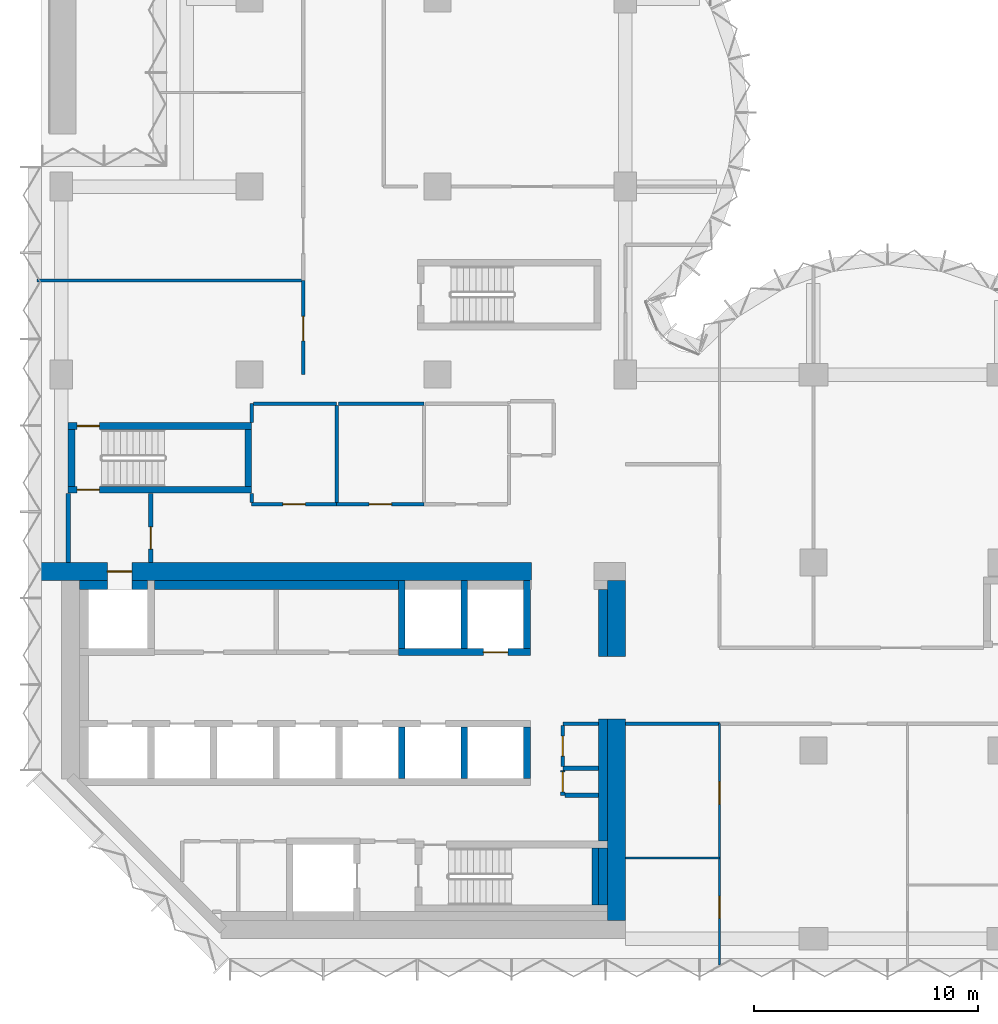
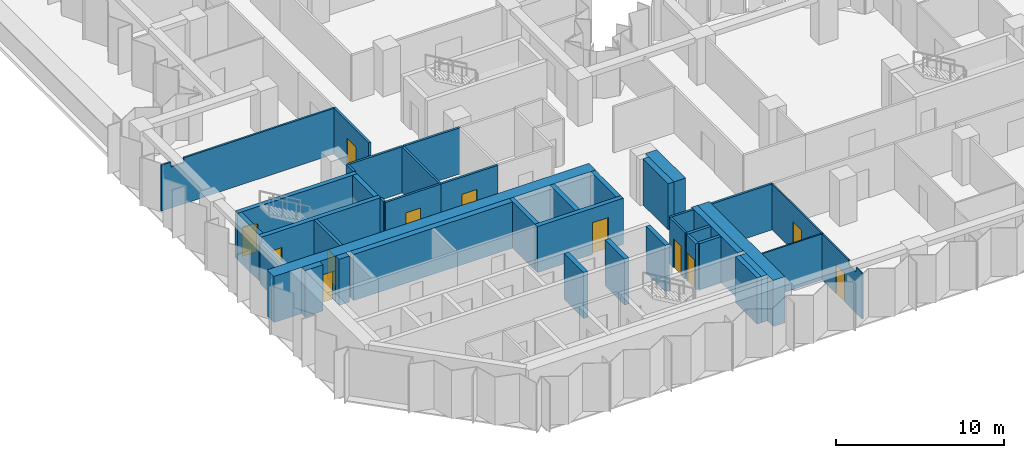
# One storey, part 11 of 18: 41 walls, 12 doors, 12 openings.
"""IFC4 building model written with IfcOpenShell, lengths in metres."""

import ifcopenshell
import ifcopenshell.guid

model = None  # the IFC model being written
_history = None  # IfcOwnerHistory: only IFC2X3 demands one
_inside = {}  # id of a spatial element -> (the spatial element, [elements in it])
_under = {}  # id of a project, library or spatial element -> (it, [spatial elements below it])
_declared = {}  # id of a project -> (the project, [libraries it declares])
_typed = {}  # id of a type object -> (the type object, [elements of that type])
_made_of = {}  # id of a material, layer set ... -> (it, [elements and type objects made of it])


def new_model(schema):
    """Start an empty IFC model of exactly this schema.

    Asked for "IFC4X3", IfcOpenShell would pick the latest addendum, in which some entities
    have other attributes; the version numbers below select the first issue.
    IFC2X3 requires an IfcOwnerHistory on every rooted entity: one is made here for all.
    """
    global model, _history
    if schema == "IFC4X3":
        model = ifcopenshell.file(schema_version=(4, 3, 0, 0))
    else:
        model = ifcopenshell.file(schema=schema)
    _inside.clear()
    _under.clear()
    _declared.clear()
    _typed.clear()
    _made_of.clear()
    _history = None
    if model.schema == "IFC2X3":
        org = make("IfcOrganization", Name="unknown")
        user = make(
            "IfcPersonAndOrganization",
            ThePerson=make("IfcPerson", FamilyName="unknown"),
            TheOrganization=org,
        )
        app = make(
            "IfcApplication",
            ApplicationDeveloper=org,
            Version="unknown",
            ApplicationFullName="unknown",
            ApplicationIdentifier="unknown",
        )
        _history = make(
            "IfcOwnerHistory",
            OwningUser=user,
            OwningApplication=app,
            ChangeAction="ADDED",
            CreationDate=0,
        )
    return model


def make(cls, **values):
    """One entity of the class cls with the attributes given. An attribute that is None is left unset."""
    return model.create_entity(
        cls, **{name: value for name, value in values.items() if value is not None}
    )


def rooted(cls, **values):
    """An entity with a GlobalId (a new one), such as an element, a storey or a relation."""
    return make(cls, GlobalId=ifcopenshell.guid.new(), OwnerHistory=_history, **values)


def si_unit(unit_type, name, prefix=None):
    """IfcSIUnit, for example si_unit("LENGTHUNIT", "METRE", prefix="MILLI")."""
    return make("IfcSIUnit", UnitType=unit_type, Prefix=prefix, Name=name)


def assignment(units):
    """IfcUnitAssignment: the units of a project."""
    return None if units is None else make("IfcUnitAssignment", Units=units)


def point(xyz):
    """IfcCartesianPoint."""
    return None if xyz is None else make("IfcCartesianPoint", Coordinates=xyz)


def direction(xyz):
    """IfcDirection."""
    return None if xyz is None else make("IfcDirection", DirectionRatios=xyz)


def frame(location, z_axis=None, x_axis=None):
    """IfcAxis2Placement3D, a coordinate frame: its origin and axes. An axis left out is left unset."""
    return make(
        "IfcAxis2Placement3D",
        Location=point(location),
        Axis=direction(z_axis),
        RefDirection=direction(x_axis),
    )


def frame_2d(location, x_axis=None):
    """IfcAxis2Placement2D, a coordinate frame in the plane: its origin and x axis."""
    return make(
        "IfcAxis2Placement2D", Location=point(location), RefDirection=direction(x_axis)
    )


def origin():
    """The frame at (0, 0, 0) with its axes left unset."""
    return frame((0.0, 0.0, 0.0))


def place(relative_to, where):
    """IfcLocalPlacement: puts the frame where relative to a parent placement (None: the world)."""
    return make(
        "IfcLocalPlacement", PlacementRelTo=relative_to, RelativePlacement=where
    )


def context(
    kind, dimensions, precision=None, world=None, true_north=None, identifier=None
):
    """IfcGeometricRepresentationContext, for example the 3D "Model" context."""
    return make(
        "IfcGeometricRepresentationContext",
        ContextIdentifier=identifier,
        ContextType=kind,
        CoordinateSpaceDimension=dimensions,
        Precision=precision,
        WorldCoordinateSystem=world,
        TrueNorth=true_north,
    )


def subcontext(parent, identifier, kind, view, scale=None):
    """IfcGeometricRepresentationSubContext, for example "Body" below "Model"."""
    return make(
        "IfcGeometricRepresentationSubContext",
        ContextIdentifier=identifier,
        ContextType=kind,
        ParentContext=parent,
        TargetScale=scale,
        TargetView=view,
    )


def project(units=None, contexts=None):
    """IfcProject with its units and contexts."""
    return rooted(
        "IfcProject",
        Name="project",
        RepresentationContexts=contexts,
        UnitsInContext=assignment(units),
    )


def spatial(cls, under=None, at=None, **own):
    """A site, building, storey or space (cls), placed at a placement, below another one or the project."""
    s = rooted(cls, ObjectPlacement=at, **own)
    if under is not None:
        _under.setdefault(under.id(), (under, []))[1].append(s)
    return s


def polyline(points):
    """IfcPolyline through the points."""
    return make("IfcPolyline", Points=[point(p) for p in points])


def profile(cls, at=None, kind="AREA", **sizes):
    """A parametric profile (cls). Its sizes go by their IFC names, for example OverallWidth=200.0."""
    return make(cls, ProfileType=kind, Position=at, **sizes)


def rectangle(**sizes):
    """IfcRectangleProfileDef."""
    return profile("IfcRectangleProfileDef", **sizes)


def outline(outer, holes=None, kind="AREA"):
    """IfcArbitraryClosedProfileDef: a profile drawn as a closed curve; with holes, ...WithVoids."""
    if holes is None:
        return make("IfcArbitraryClosedProfileDef", ProfileType=kind, OuterCurve=outer)
    return make(
        "IfcArbitraryProfileDefWithVoids",
        ProfileType=kind,
        OuterCurve=outer,
        InnerCurves=holes,
    )


def extrude(swept, where, along, depth):
    """IfcExtrudedAreaSolid: the profile swept, set in the frame where, extruded along a direction by depth."""
    return make(
        "IfcExtrudedAreaSolid",
        SweptArea=swept,
        Position=where,
        ExtrudedDirection=direction(along),
        Depth=depth,
    )


def shape(context_of_items, identifier, shape_type, items):
    """IfcShapeRepresentation: the items that make up one representation, for example the "Body"."""
    return make(
        "IfcShapeRepresentation",
        ContextOfItems=context_of_items,
        RepresentationIdentifier=identifier,
        RepresentationType=shape_type,
        Items=items,
    )


def material(Name=None, Category=None):
    """IfcMaterial."""
    return make("IfcMaterial", Name=Name, Category=Category)


def layer(
    of_material, thickness, ventilated=None, Name=None, Category=None, Priority=None
):
    """IfcMaterialLayer: one layer of a wall or slab, of a material (None: an air gap)."""
    return make(
        "IfcMaterialLayer",
        Material=of_material,
        LayerThickness=thickness,
        IsVentilated=ventilated,
        Name=Name,
        Category=Category,
        Priority=Priority,
    )


def layer_set(layers, Name=None):
    """IfcMaterialLayerSet."""
    return make("IfcMaterialLayerSet", MaterialLayers=layers, LayerSetName=Name)


def made_of(thing, what):
    """Note that an element or type object is made of a material, layer set ...; save() writes the relation."""
    if what is not None:
        _made_of.setdefault(what.id(), (what, []))[1].append(thing)
    return thing


def type_object(cls, material=None, **own):
    """A type object (cls), such as IfcWallType, which elements share."""
    return made_of(rooted(cls, **own), material)


def element(
    cls,
    number,
    at=None,
    inside=None,
    cuts=None,
    type_object=None,
    material=None,
    context=None,
    identifier="Body",
    shape_type=None,
    held_by="IfcProductDefinitionShape",
    body=None,
    shapes=None,
    **own,
):
    """One element of the class cls, such as IfcWall. Its Tag is "e" and its number.

    at: its placement. inside: the storey or other place that contains it. cuts: it is an
    opening in that element (IfcRelVoidsElement). A single representation is given by context,
    identifier, shape_type and body (its items); several are given by shapes. held_by: the class
    of the entity that holds the representations. save() writes the other relations.
    """
    e = rooted(cls, Tag="e%d" % number, ObjectPlacement=at, **own)
    if body is not None:
        shapes = [shape(context, identifier, shape_type, body)]
    if shapes is not None:
        e.Representation = make(held_by, Representations=shapes)
    if inside is not None:
        _inside.setdefault(inside.id(), (inside, []))[1].append(e)
    if cuts is not None:
        rooted(
            "IfcRelVoidsElement", RelatingBuildingElement=cuts, RelatedOpeningElement=e
        )
    if type_object is not None:
        _typed.setdefault(type_object.id(), (type_object, []))[1].append(e)
    return made_of(e, material)


def fill(opening, filler):
    """IfcRelFillsElement: the door or window that sits in an opening."""
    return rooted(
        "IfcRelFillsElement",
        RelatingOpeningElement=opening,
        RelatedBuildingElement=filler,
    )


def aggregate(whole, parts):
    """IfcRelAggregates: a whole, such as a stair, and the parts it consists of."""
    return rooted("IfcRelAggregates", RelatingObject=whole, RelatedObjects=parts)


def save(model, path):
    """Write the relations noted so far, then the file.

    IfcRelAggregates (storeys below a building ...), IfcRelContainedInSpatialStructure (elements
    in a storey), IfcRelDefinesByType, IfcRelAssociatesMaterial and IfcRelDeclares: one each for
    every whole, place, type object, material and project.
    """
    for whole, parts in _under.values():
        aggregate(whole, parts)
    for where, things in _inside.values():
        rooted(
            "IfcRelContainedInSpatialStructure",
            RelatedElements=things,
            RelatingStructure=where,
        )
    for kind, things in _typed.values():
        rooted("IfcRelDefinesByType", RelatedObjects=things, RelatingType=kind)
    for what, things in _made_of.values():
        rooted("IfcRelAssociatesMaterial", RelatedObjects=things, RelatingMaterial=what)
    for by, libraries in _declared.values():
        rooted("IfcRelDeclares", RelatingContext=by, RelatedDefinitions=libraries)
    model.write(path)


model = new_model("IFC4")

# Units and contexts
model_context = context("Model", 3, precision=1e-05, world=origin(), true_north=direction((0.0, 1.0)))
body_context = subcontext(model_context, "Body", "Model", "MODEL_VIEW")
ifc_project = project(units=[si_unit("LENGTHUNIT", "METRE"), si_unit("AREAUNIT", "SQUARE_METRE"), si_unit("VOLUMEUNIT", "CUBIC_METRE"), si_unit("PLANEANGLEUNIT", "RADIAN"), si_unit("MASSUNIT", "GRAM", prefix="KILO")], contexts=[model_context])

# Site, building, storey
site_placement = place(None, origin())
site = spatial("IfcSite", under=ifc_project, at=site_placement, CompositionType="ELEMENT")
building_placement = place(site_placement, origin())
building = spatial("IfcBuilding", under=site, at=building_placement, Name="Brevane Broadcast Tower", CompositionType="ELEMENT")
storey_placement = place(building_placement, frame((0.0, 0.0, 134.89990234375)))
storey = spatial("IfcBuildingStorey", under=building, at=storey_placement, Name="L33", CompositionType="ELEMENT", Elevation=134.89990234375)

# Walls
ifc_material_1 = material(Name="Concrete C32/40", Category="concrete")
ifc_layer_1 = layer(ifc_material_1, 0.39990234375)
ifc_layer_set_1 = layer_set([ifc_layer_1], Name="Core chase wall 400 mm")
wall_type_1 = type_object("IfcWallType", Name="Core chase wall 400 mm", PredefinedType="PARTITIONING", material=ifc_layer_set_1)
wall_1_placement = place(storey_placement, frame((24.199951171875, 12.60009765625, 0.0), z_axis=(0.0, 0.0, 1.0), x_axis=(0.0, 1.0, 0.0)))
element("IfcWall", 1, at=wall_1_placement, inside=storey, type_object=wall_type_1, Name="L33 chase wall LE2", PredefinedType="PARTITIONING", context=body_context, shape_type="SweptSolid", body=[
    extrude(rectangle(XDim=3.0, YDim=0.39990234375, at=frame_2d((1.5, 0.0))), origin(), (0.0, 0.0, 1.0), 3.35009765625),
])
wall_2_placement = place(storey_placement, frame((0.800048828125, 15.800048828125, 0.0), z_axis=(0.0, 0.0, 1.0), x_axis=(1.0, 0.0, 0.0)))
element("IfcWall", 2, at=wall_2_placement, inside=storey, type_object=wall_type_1, Name="L33 chase wall LN0", PredefinedType="PARTITIONING", context=body_context, shape_type="SweptSolid", body=[
    extrude(rectangle(XDim=1.25, YDim=0.39990234375, at=frame_2d((0.625, 0.0))), origin(), (0.0, 0.0, 1.0), 3.35009765625),
])
wall_3_placement = place(storey_placement, frame((3.14990234375, 15.800048828125, 0.0), z_axis=(0.0, 0.0, 1.0), x_axis=(1.0, 0.0, 0.0)))
element("IfcWall", 3, at=wall_3_placement, inside=storey, type_object=wall_type_1, Name="L33 chase wall LN1-1", PredefinedType="PARTITIONING", context=body_context, shape_type="SweptSolid", body=[
    extrude(rectangle(XDim=0.7001953125, YDim=0.39990234375, at=frame_2d((0.35009765625, 0.0))), origin(), (0.0, 0.0, 1.0), 3.35009765625),
])
wall_4_placement = place(storey_placement, frame((4.14990234375, 15.800048828125, 0.0), z_axis=(0.0, 0.0, 1.0), x_axis=(1.0, 0.0, 0.0)))
element("IfcWall", 4, at=wall_4_placement, inside=storey, type_object=wall_type_1, Name="L33 chase wall LN1-2-1", PredefinedType="PARTITIONING", context=body_context, shape_type="SweptSolid", body=[
    extrude(rectangle(XDim=10.900146484375, YDim=0.39990234375, at=frame_2d((5.4501953125, 0.0))), origin(), (0.0, 0.0, 1.0), 3.35009765625),
])
wall_5_placement = place(storey_placement, frame((24.199951171875, 1.5, 0.0), z_axis=(0.0, 0.0, 1.0), x_axis=(0.0, 1.0, 0.0)))
element("IfcWall", 5, at=wall_5_placement, inside=storey, type_object=wall_type_1, Name="L33 chase wall LE1-2-1", PredefinedType="PARTITIONING", context=body_context, shape_type="SweptSolid", body=[
    extrude(rectangle(XDim=2.550048828125, YDim=0.39990234375, at=frame_2d((1.27490234375, 0.0))), origin(), (0.0, 0.0, 1.0), 3.35009765625),
])
wall_6_placement = place(storey_placement, frame((24.199951171875, 4.35009765625, 0.0), z_axis=(0.0, 0.0, 1.0), x_axis=(0.0, 1.0, 0.0)))
element("IfcWall", 6, at=wall_6_placement, inside=storey, type_object=wall_type_1, Name="L33 chase wall LE1-2-2", PredefinedType="PARTITIONING", context=body_context, shape_type="SweptSolid", body=[
    extrude(rectangle(XDim=5.449951171875, YDim=0.39990234375, at=frame_2d((2.72509765625, 0.0))), origin(), (0.0, 0.0, 1.0), 3.35009765625),
])

# Wall, opening, door
ifc_material_2 = material(Name="Gypsum board on steel studs", Category="steel")
ifc_layer_2 = layer(ifc_material_2, 0.14990234375)
ifc_layer_set_2 = layer_set([ifc_layer_2], Name="Core fire partition 150 mm")
wall_type_2 = type_object("IfcWallType", Name="Core fire partition 150 mm", PredefinedType="PARTITIONING", material=ifc_layer_set_2)
wall_7_placement = place(storey_placement, frame((12.300048828125, 19.39990234375, 0.0), z_axis=(0.0, 0.0, 1.0), x_axis=(-1.0, 0.0, 0.0)))
wall_7 = element("IfcWall", 7, at=wall_7_placement, inside=storey, type_object=wall_type_2, Name="L33 partition wall P15", PredefinedType="PARTITIONING", context=body_context, shape_type="SweptSolid", body=[
    extrude(rectangle(XDim=3.800048828125, YDim=0.14990234375, at=frame_2d((1.89990234375, 0.0))), origin(), (0.0, 0.0, 1.0), 3.35009765625),
])
opening_1_placement = place(wall_7_placement, frame((1.39990234375, 0.0, 0.0)))
opening_1 = element("IfcOpeningElement", 8, at=opening_1_placement, cuts=wall_7, Name="Opening L33-K25", PredefinedType="OPENING", context=body_context, shape_type="SweptSolid", body=[
    extrude(rectangle(XDim=1.0, YDim=2.10009765625, at=frame_2d((0.5, 1.050048828125))), frame((0.0, 0.0849609375, 0.0), z_axis=(0.0, -1.0, 0.0), x_axis=(1.0, 0.0, 0.0)), (0.0, 0.0, 1.0), 0.169921875),
])
ifc_material_3 = material(Name="Steel", Category="steel")
door_type_1 = type_object("IfcDoorType", Name="Service room door 1000 x 2100", OperationType="SINGLE_SWING_LEFT", PredefinedType="DOOR", material=ifc_material_3)
door_1_placement = place(opening_1_placement, origin())
door_1 = element("IfcDoor", 9, at=door_1_placement, inside=storey, type_object=door_type_1, Name="Door L33-K25", OperationType="SINGLE_SWING_LEFT", OverallHeight=2.10009765625, OverallWidth=1.0, PredefinedType="DOOR", context=body_context, shape_type="SweptSolid", body=[
    extrude(rectangle(XDim=1.0, YDim=2.10009765625, at=frame_2d((0.5, 1.050048828125))), frame((0.0, 0.02490234375, 0.0), z_axis=(0.0, -1.0, 0.0), x_axis=(1.0, 0.0, 0.0)), (0.0, 0.0, 1.0), 0.050048828125),
])
fill(opening_1, door_1)

# Walls
wall_8_placement = place(storey_placement, frame((8.5, 19.47509765625, 0.0), z_axis=(0.0, 0.0, 1.0), x_axis=(0.0, 1.0, 0.0)))
element("IfcWall", 10, at=wall_8_placement, inside=storey, type_object=wall_type_2, Name="L33 partition wall P16", PredefinedType="PARTITIONING", context=body_context, shape_type="SweptSolid", body=[
    extrude(rectangle(XDim=0.412841796875, YDim=0.14990234375, at=frame_2d((0.20654296875, 0.0))), origin(), (0.0, 0.0, 1.0), 3.35009765625),
])
wall_9_placement = place(storey_placement, frame((8.5, 23.06201171875, 0.0), z_axis=(0.0, 0.0, 1.0), x_axis=(0.0, 1.0, 0.0)))
element("IfcWall", 11, at=wall_9_placement, inside=storey, type_object=wall_type_2, Name="L33 partition wall P17", PredefinedType="PARTITIONING", context=body_context, shape_type="SweptSolid", body=[
    extrude(rectangle(XDim=0.837890625, YDim=0.14990234375, at=frame_2d((0.4189453125, 0.0))), origin(), (0.0, 0.0, 1.0), 3.35009765625),
])
wall_10_placement = place(storey_placement, frame((8.574951171875, 23.89990234375, 0.0), z_axis=(0.0, 0.0, 1.0), x_axis=(1.0, 0.0, 0.0)))
element("IfcWall", 12, at=wall_10_placement, inside=storey, type_object=wall_type_2, Name="L33 partition wall P18", PredefinedType="PARTITIONING", context=body_context, shape_type="SweptSolid", body=[
    extrude(rectangle(XDim=3.72509765625, YDim=0.14990234375, at=frame_2d((1.862548828125, 0.0))), origin(), (0.0, 0.0, 1.0), 3.35009765625),
])

# Wall, opening, door
wall_11_placement = place(storey_placement, frame((16.199951171875, 19.39990234375, 0.0), z_axis=(0.0, 0.0, 1.0), x_axis=(-1.0, 0.0, 0.0)))
wall_11 = element("IfcWall", 13, at=wall_11_placement, inside=storey, type_object=wall_type_2, Name="L33 partition wall P19", PredefinedType="PARTITIONING", context=body_context, shape_type="SweptSolid", body=[
    extrude(rectangle(XDim=3.89990234375, YDim=0.14990234375, at=frame_2d((1.949951171875, 0.0))), origin(), (0.0, 0.0, 1.0), 3.35009765625),
])
opening_2_placement = place(wall_11_placement, frame((1.449951171875, 0.0, 0.0)))
opening_2 = element("IfcOpeningElement", 14, at=opening_2_placement, cuts=wall_11, Name="Opening L33-K26", PredefinedType="OPENING", context=body_context, shape_type="SweptSolid", body=[
    extrude(rectangle(XDim=1.0, YDim=2.10009765625, at=frame_2d((0.5, 1.050048828125))), frame((0.0, 0.0849609375, 0.0), z_axis=(0.0, -1.0, 0.0), x_axis=(1.0, 0.0, 0.0)), (0.0, 0.0, 1.0), 0.169921875),
])
door_2_placement = place(opening_2_placement, origin())
door_2 = element("IfcDoor", 15, at=door_2_placement, inside=storey, type_object=door_type_1, Name="Door L33-K26", OperationType="SINGLE_SWING_RIGHT", OverallHeight=2.10009765625, OverallWidth=1.0, PredefinedType="DOOR", context=body_context, shape_type="SweptSolid", body=[
    extrude(rectangle(XDim=1.0, YDim=2.10009765625, at=frame_2d((0.5, 1.050048828125))), frame((0.0, 0.02490234375, 0.0), z_axis=(0.0, -1.0, 0.0), x_axis=(1.0, 0.0, 0.0)), (0.0, 0.0, 1.0), 0.050048828125),
])
fill(opening_2, door_2)

# Walls
wall_12_placement = place(storey_placement, frame((12.300048828125, 23.824951171875, 0.0), z_axis=(0.0, 0.0, 1.0), x_axis=(0.0, -1.0, 0.0)))
element("IfcWall", 16, at=wall_12_placement, inside=storey, type_object=wall_type_2, Name="L33 partition wall P20", PredefinedType="PARTITIONING", context=body_context, shape_type="SweptSolid", body=[
    extrude(rectangle(XDim=4.349853515625, YDim=0.14990234375, at=frame_2d((2.1748046875, 0.0))), origin(), (0.0, 0.0, 1.0), 3.35009765625),
])
wall_13_placement = place(storey_placement, frame((12.375, 23.89990234375, 0.0), z_axis=(0.0, 0.0, 1.0), x_axis=(1.0, 0.0, 0.0)))
element("IfcWall", 17, at=wall_13_placement, inside=storey, type_object=wall_type_2, Name="L33 partition wall P21", PredefinedType="PARTITIONING", context=body_context, shape_type="SweptSolid", body=[
    extrude(rectangle(XDim=3.824951171875, YDim=0.14990234375, at=frame_2d((1.91259765625, 0.0))), origin(), (0.0, 0.0, 1.0), 3.35009765625),
])
wall_14_placement = place(storey_placement, frame((23.988037109375, 9.60009765625, 0.0), z_axis=(0.0, 0.0, 1.0), x_axis=(-1.0, 0.0, 0.0)))
element("IfcWall", 18, at=wall_14_placement, inside=storey, type_object=wall_type_2, Name="L33 partition wall P31", PredefinedType="PARTITIONING", context=body_context, shape_type="SweptSolid", body=[
    extrude(rectangle(XDim=1.588134765625, YDim=0.14990234375, at=frame_2d((0.7939453125, 0.0))), origin(), (0.0, 0.0, 1.0), 3.35009765625),
])

# Wall, opening, door
wall_15_placement = place(storey_placement, frame((22.39990234375, 9.52490234375, 0.0), z_axis=(0.0, 0.0, 1.0), x_axis=(0.0, -1.0, 0.0)))
wall_15 = element("IfcWall", 19, at=wall_15_placement, inside=storey, type_object=wall_type_2, Name="L33 partition wall P32", PredefinedType="PARTITIONING", context=body_context, shape_type="SweptSolid", body=[
    extrude(rectangle(XDim=1.824951171875, YDim=0.14990234375, at=frame_2d((0.91259765625, 0.0))), origin(), (0.0, 0.0, 1.0), 3.35009765625),
])
opening_3_placement = place(wall_15_placement, frame((0.47509765625, 0.0, 0.0)))
opening_3 = element("IfcOpeningElement", 20, at=opening_3_placement, cuts=wall_15, Name="Opening L33-K20", PredefinedType="OPENING", context=body_context, shape_type="SweptSolid", body=[
    extrude(rectangle(XDim=0.89990234375, YDim=2.10009765625, at=frame_2d((0.449951171875, 1.050048828125))), frame((0.0, 0.0849609375, 0.0), z_axis=(0.0, -1.0, 0.0), x_axis=(1.0, 0.0, 0.0)), (0.0, 0.0, 1.0), 0.169921875),
])
door_type_2 = type_object("IfcDoorType", Name="Service room door 900 x 2100", OperationType="SINGLE_SWING_LEFT", PredefinedType="DOOR", material=ifc_material_3)
door_3_placement = place(opening_3_placement, origin())
door_3 = element("IfcDoor", 21, at=door_3_placement, inside=storey, type_object=door_type_2, Name="Door L33-K20", OperationType="SINGLE_SWING_RIGHT", OverallHeight=2.10009765625, OverallWidth=0.89990234375, PredefinedType="DOOR", context=body_context, shape_type="SweptSolid", body=[
    extrude(rectangle(XDim=0.89990234375, YDim=2.10009765625, at=frame_2d((0.449951171875, 1.050048828125))), frame((0.0, 0.02490234375, 0.0), z_axis=(0.0, -1.0, 0.0), x_axis=(1.0, 0.0, 0.0)), (0.0, 0.0, 1.0), 0.050048828125),
])
fill(opening_3, door_3)

# Wall
ifc_layer_3 = layer(ifc_material_2, 0.199951171875)
ifc_layer_set_3 = layer_set([ifc_layer_3], Name="Core fire partition 200 mm")
wall_type_3 = type_object("IfcWallType", Name="Core fire partition 200 mm", PredefinedType="PARTITIONING", material=ifc_layer_set_3)
wall_16_placement = place(storey_placement, frame((0.300048828125, 16.81201171875, 0.0), z_axis=(0.0, 0.0, 1.0), x_axis=(0.0, 1.0, 0.0)))
element("IfcWall", 22, at=wall_16_placement, inside=storey, type_object=wall_type_3, Name="L33 partition wall P01", PredefinedType="PARTITIONING", context=body_context, shape_type="SweptSolid", body=[
    extrude(rectangle(XDim=3.075927734375, YDim=0.199951171875, at=frame_2d((1.5380859375, 0.0))), origin(), (0.0, 0.0, 1.0), 2.97998046875),
])

# Wall, opening, door
wall_17_placement = place(storey_placement, frame((4.0, 19.887939453125, 0.0), z_axis=(0.0, 0.0, 1.0), x_axis=(0.0, -1.0, 0.0)))
wall_17 = element("IfcWall", 23, at=wall_17_placement, inside=storey, type_object=wall_type_3, Name="L33 partition wall P02", PredefinedType="PARTITIONING", context=body_context, shape_type="SweptSolid", body=[
    extrude(rectangle(XDim=3.075927734375, YDim=0.199951171875, at=frame_2d((1.5380859375, 0.0))), origin(), (0.0, 0.0, 1.0), 3.35009765625),
])
opening_4_placement = place(wall_17_placement, frame((1.488037109375, 0.0, 0.0)))
opening_4 = element("IfcOpeningElement", 24, at=opening_4_placement, cuts=wall_17, Name="Opening L33-K23", PredefinedType="OPENING", context=body_context, shape_type="SweptSolid", body=[
    extrude(rectangle(XDim=1.0, YDim=2.10009765625, at=frame_2d((0.5, 1.050048828125))), frame((0.0, 0.10986328125, 0.0), z_axis=(0.0, -1.0, 0.0), x_axis=(1.0, 0.0, 0.0)), (0.0, 0.0, 1.0), 0.219970703125),
])
door_type_3 = type_object("IfcDoorType", Name="Stair door 1000 x 2100", OperationType="SINGLE_SWING_LEFT", PredefinedType="DOOR", material=ifc_material_3)
door_4_placement = place(opening_4_placement, origin())
door_4 = element("IfcDoor", 25, at=door_4_placement, inside=storey, type_object=door_type_3, Name="Door L33-K23", OperationType="SINGLE_SWING_LEFT", OverallHeight=2.10009765625, OverallWidth=1.0, PredefinedType="DOOR", context=body_context, shape_type="SweptSolid", body=[
    extrude(rectangle(XDim=1.0, YDim=2.10009765625, at=frame_2d((0.5, 1.050048828125))), frame((0.0, 0.02490234375, 0.0), z_axis=(0.0, -1.0, 0.0), x_axis=(1.0, 0.0, 0.0)), (0.0, 0.0, 1.0), 0.050048828125),
])
fill(opening_4, door_4)

# Wall
wall_18_placement = place(storey_placement, frame((23.988037109375, 7.60009765625, 0.0), z_axis=(0.0, 0.0, 1.0), x_axis=(-1.0, 0.0, 0.0)))
element("IfcWall", 26, at=wall_18_placement, inside=storey, type_object=wall_type_3, Name="L33 partition wall P07", PredefinedType="PARTITIONING", context=body_context, shape_type="SweptSolid", body=[
    extrude(rectangle(XDim=1.588134765625, YDim=0.199951171875, at=frame_2d((0.7939453125, 0.0))), origin(), (0.0, 0.0, 1.0), 3.35009765625),
])

# Wall, opening, door
wall_19_placement = place(storey_placement, frame((22.39990234375, 7.5, 0.0), z_axis=(0.0, 0.0, 1.0), x_axis=(0.0, -1.0, 0.0)))
wall_19 = element("IfcWall", 27, at=wall_19_placement, inside=storey, type_object=wall_type_3, Name="L33 partition wall P08", PredefinedType="PARTITIONING", context=body_context, shape_type="SweptSolid", body=[
    extrude(rectangle(XDim=1.10009765625, YDim=0.199951171875, at=frame_2d((0.550048828125, 0.0))), origin(), (0.0, 0.0, 1.0), 3.35009765625),
])
opening_5_placement = place(wall_19_placement, frame((0.050048828125, 0.0, 0.0)))
opening_5 = element("IfcOpeningElement", 28, at=opening_5_placement, cuts=wall_19, Name="Opening L33-K19", PredefinedType="OPENING", context=body_context, shape_type="SweptSolid", body=[
    extrude(rectangle(XDim=0.89990234375, YDim=2.10009765625, at=frame_2d((0.449951171875, 1.050048828125))), frame((0.0, 0.10986328125, 0.0), z_axis=(0.0, -1.0, 0.0), x_axis=(1.0, 0.0, 0.0)), (0.0, 0.0, 1.0), 0.219970703125),
])
door_5_placement = place(opening_5_placement, origin())
door_5 = element("IfcDoor", 29, at=door_5_placement, inside=storey, type_object=door_type_2, Name="Door L33-K19", OperationType="SINGLE_SWING_LEFT", OverallHeight=2.10009765625, OverallWidth=0.89990234375, PredefinedType="DOOR", context=body_context, shape_type="SweptSolid", body=[
    extrude(rectangle(XDim=0.89990234375, YDim=2.10009765625, at=frame_2d((0.449951171875, 1.050048828125))), frame((0.0, 0.02490234375, 0.0), z_axis=(0.0, -1.0, 0.0), x_axis=(1.0, 0.0, 0.0)), (0.0, 0.0, 1.0), 0.050048828125),
])
fill(opening_5, door_5)

# Walls
wall_20_placement = place(storey_placement, frame((22.5, 6.39990234375, 0.0), z_axis=(0.0, 0.0, 1.0), x_axis=(1.0, 0.0, 0.0)))
element("IfcWall", 30, at=wall_20_placement, inside=storey, type_object=wall_type_3, Name="L33 partition wall P09", PredefinedType="PARTITIONING", context=body_context, shape_type="SweptSolid", body=[
    extrude(rectangle(XDim=1.488037109375, YDim=0.199951171875, at=frame_2d((0.744140625, 0.0))), origin(), (0.0, 0.0, 1.0), 3.35009765625),
])
ifc_material_4 = material(Name="Concrete C60/75", Category="concrete")
ifc_layer_4 = layer(ifc_material_4, 0.300048828125)
ifc_layer_set_4 = layer_set([ifc_layer_4], Name="Core wall 300 mm C60/75")
wall_type_4 = type_object("IfcWallType", Name="Core wall 300 mm C60/75", PredefinedType="SHEAR", material=ifc_layer_set_4)
for number, where, z_axis, x_axis, name in (
    (31, (15.199951171875, 7.14990234375, 0.0), (0.0, 0.0, 1.0), (0.0, 1.0, 0.0), "L33 shaft wall SH-S-P152"),
    (32, (18.0, 7.14990234375, 0.0), (0.0, 0.0, 1.0), (0.0, 1.0, 0.0), "L33 shaft wall SH-S-P180"),
    (33, (20.800048828125, 7.14990234375, 0.0), (0.0, 0.0, 1.0), (0.0, 1.0, 0.0), "L33 shaft wall SH-S-P208"),
):
    element("IfcWall", number, at=place(storey_placement, frame(where, z_axis=z_axis, x_axis=x_axis)), inside=storey, type_object=wall_type_4, Name=name, PredefinedType="SHEAR", context=body_context, shape_type="SweptSolid", body=[
        extrude(rectangle(XDim=2.300048828125, YDim=0.300048828125, at=frame_2d((1.14990234375, 0.0))), origin(), (0.0, 0.0, 1.0), 3.35009765625),
    ])

# Wall, opening, door
wall_21_placement = place(storey_placement, frame((15.050048828125, 12.800048828125, 0.0), z_axis=(0.0, 0.0, 1.0), x_axis=(1.0, 0.0, 0.0)))
wall_21 = element("IfcWall", 34, at=wall_21_placement, inside=storey, type_object=wall_type_4, Name="L33 shaft wall SH-N152-front", PredefinedType="SHEAR", context=body_context, shape_type="SweptSolid", body=[
    extrude(rectangle(XDim=5.89990234375, YDim=0.300048828125, at=frame_2d((2.949951171875, 0.0))), origin(), (0.0, 0.0, 1.0), 3.35009765625),
])
opening_6_placement = place(wall_21_placement, frame((3.800048828125, 0.0, 0.0)))
opening_6 = element("IfcOpeningElement", 35, at=opening_6_placement, cuts=wall_21, Name="Opening LD", PredefinedType="OPENING", context=body_context, shape_type="SweptSolid", body=[
    extrude(rectangle(XDim=1.10009765625, YDim=2.300048828125, at=frame_2d((0.550048828125, 1.14990234375))), frame((0.0, 0.159912109375, 0.0), z_axis=(0.0, -1.0, 0.0), x_axis=(1.0, 0.0, 0.0)), (0.0, 0.0, 1.0), 0.320068359375),
])
ifc_material_5 = material(Name="Stainless steel", Category="steel")
door_type_4 = type_object("IfcDoorType", Name="Lift landing door", OperationType="SLIDING_TO_LEFT", PredefinedType="DOOR", material=ifc_material_5)
door_6_placement = place(opening_6_placement, origin())
door_6 = element("IfcDoor", 36, at=door_6_placement, inside=storey, type_object=door_type_4, Name="Landing door SL1 L33", OperationType="SLIDING_TO_LEFT", OverallHeight=2.300048828125, OverallWidth=1.10009765625, PredefinedType="DOOR", context=body_context, shape_type="SweptSolid", body=[
    extrude(rectangle(XDim=1.10009765625, YDim=2.300048828125, at=frame_2d((0.550048828125, 1.14990234375))), frame((0.0, 0.02490234375, 0.0), z_axis=(0.0, -1.0, 0.0), x_axis=(1.0, 0.0, 0.0)), (0.0, 0.0, 1.0), 0.050048828125),
])
fill(opening_6, door_6)

# Walls
for number, where, z_axis, x_axis, name in (
    (37, (15.199951171875, 12.949951171875, 0.0), (0.0, 0.0, 1.0), (0.0, 1.0, 0.0), "L33 shaft wall SH-N-P152"),
    (38, (18.0, 12.949951171875, 0.0), (0.0, 0.0, 1.0), (0.0, 1.0, 0.0), "L33 shaft wall SH-N-P180"),
    (39, (20.800048828125, 12.949951171875, 0.0), (0.0, 0.0, 1.0), (0.0, 1.0, 0.0), "L33 shaft wall SH-N-P208"),
):
    element("IfcWall", number, at=place(storey_placement, frame(where, z_axis=z_axis, x_axis=x_axis)), inside=storey, type_object=wall_type_4, Name=name, PredefinedType="SHEAR", context=body_context, shape_type="SweptSolid", body=[
        extrude(rectangle(XDim=3.050048828125, YDim=0.300048828125, at=frame_2d((1.52490234375, 0.0))), origin(), (0.0, 0.0, 1.0), 3.35009765625),
    ])

# Wall, opening, door
wall_22_placement = place(storey_placement, frame((8.5, 20.050048828125, 0.0), z_axis=(0.0, 0.0, 1.0), x_axis=(-1.0, 0.0, 0.0)))
wall_22 = element("IfcWall", 40, at=wall_22_placement, inside=storey, type_object=wall_type_4, Name="L33 stair wall ST-1-S", PredefinedType="SHEAR", context=body_context, shape_type="SweptSolid", body=[
    extrude(rectangle(XDim=8.199951171875, YDim=0.300048828125, at=frame_2d((4.10009765625, 0.0))), origin(), (0.0, 0.0, 1.0), 3.35009765625),
])
opening_7_placement = place(wall_22_placement, frame((6.800048828125, 0.0, 0.0)))
opening_7 = element("IfcOpeningElement", 41, at=opening_7_placement, cuts=wall_22, Name="Opening L33-K10", PredefinedType="OPENING", context=body_context, shape_type="SweptSolid", body=[
    extrude(rectangle(XDim=1.0, YDim=2.10009765625, at=frame_2d((0.5, 1.050048828125))), frame((0.0, 0.159912109375, 0.0), z_axis=(0.0, -1.0, 0.0), x_axis=(1.0, 0.0, 0.0)), (0.0, 0.0, 1.0), 0.320068359375),
])
door_7_placement = place(opening_7_placement, origin())
door_7 = element("IfcDoor", 42, at=door_7_placement, inside=storey, type_object=door_type_3, Name="Door L33-K10", OperationType="SINGLE_SWING_RIGHT", OverallHeight=2.10009765625, OverallWidth=1.0, PredefinedType="DOOR", context=body_context, shape_type="SweptSolid", body=[
    extrude(rectangle(XDim=1.0, YDim=2.10009765625, at=frame_2d((0.5, 1.050048828125))), frame((0.0, 0.02490234375, 0.0), z_axis=(0.0, -1.0, 0.0), x_axis=(1.0, 0.0, 0.0)), (0.0, 0.0, 1.0), 0.050048828125),
])
fill(opening_7, door_7)

wall_23_placement = place(storey_placement, frame((0.300048828125, 22.89990234375, 0.0), z_axis=(0.0, 0.0, 1.0), x_axis=(1.0, 0.0, 0.0)))
wall_23 = element("IfcWall", 43, at=wall_23_placement, inside=storey, type_object=wall_type_4, Name="L33 stair wall ST-1-N", PredefinedType="SHEAR", context=body_context, shape_type="SweptSolid", body=[
    extrude(rectangle(XDim=8.199951171875, YDim=0.300048828125, at=frame_2d((4.10009765625, 0.0))), origin(), (0.0, 0.0, 1.0), 3.35009765625),
])
opening_8_placement = place(wall_23_placement, frame((0.39990234375, 0.0, 0.0)))
opening_8 = element("IfcOpeningElement", 44, at=opening_8_placement, cuts=wall_23, Name="Opening L33-K11", PredefinedType="OPENING", context=body_context, shape_type="SweptSolid", body=[
    extrude(rectangle(XDim=1.0, YDim=2.10009765625, at=frame_2d((0.5, 1.050048828125))), frame((0.0, 0.159912109375, 0.0), z_axis=(0.0, -1.0, 0.0), x_axis=(1.0, 0.0, 0.0)), (0.0, 0.0, 1.0), 0.320068359375),
])
door_8_placement = place(opening_8_placement, origin())
door_8 = element("IfcDoor", 45, at=door_8_placement, inside=storey, type_object=door_type_3, Name="Door L33-K11", OperationType="SINGLE_SWING_LEFT", OverallHeight=2.10009765625, OverallWidth=1.0, PredefinedType="DOOR", context=body_context, shape_type="SweptSolid", body=[
    extrude(rectangle(XDim=1.0, YDim=2.10009765625, at=frame_2d((0.5, 1.050048828125))), frame((0.0, 0.02490234375, 0.0), z_axis=(0.0, -1.0, 0.0), x_axis=(1.0, 0.0, 0.0)), (0.0, 0.0, 1.0), 0.050048828125),
])
fill(opening_8, door_8)

# Walls
for number, where, z_axis, x_axis, name in (
    (46, (0.449951171875, 20.199951171875, 0.0), (0.0, 0.0, 1.0), (0.0, 1.0, 0.0), "L33 stair wall ST-1-W"),
    (47, (8.35009765625, 20.199951171875, 0.0), (0.0, 0.0, 1.0), (0.0, 1.0, 0.0), "L33 stair wall ST-1-E"),
    (48, (23.85009765625, 1.5, 0.0), (0.0, 0.0, 1.0), (0.0, 1.0, 0.0), "L33 stair wall ST-2-E"),
):
    element("IfcWall", number, at=place(storey_placement, frame(where, z_axis=z_axis, x_axis=x_axis)), inside=storey, type_object=wall_type_4, Name=name, PredefinedType="SHEAR", context=body_context, shape_type="SweptSolid", body=[
        extrude(rectangle(XDim=2.550048828125, YDim=0.300048828125, at=frame_2d((1.27490234375, 0.0))), origin(), (0.0, 0.0, 1.0), 3.35009765625),
    ])

# Wall, opening, door
ifc_layer_5 = layer(ifc_material_4, 0.800048828125)
ifc_layer_set_5 = layer_set([ifc_layer_5], Name="Core wall 800 mm C60/75")
wall_type_5 = type_object("IfcWallType", Name="Core wall 800 mm C60/75", PredefinedType="SHEAR", material=ifc_layer_set_5)
wall_24_placement = place(storey_placement, frame((-1.10009765625, 16.39990234375, 0.0), z_axis=(0.0, 0.0, 1.0), x_axis=(1.0, 0.0, 0.0)))
wall_24 = element("IfcWall", 49, at=wall_24_placement, inside=storey, type_object=wall_type_5, Name="L33 outer wall WN1", PredefinedType="SHEAR", context=body_context, shape_type="SweptSolid", body=[
    extrude(rectangle(XDim=22.10009765625, YDim=0.800048828125, at=frame_2d((11.050048828125, 0.0))), origin(), (0.0, 0.0, 1.0), 3.35009765625),
])
opening_9_placement = place(wall_24_placement, frame((3.14990234375, 0.0, 0.0)))
opening_9 = element("IfcOpeningElement", 50, at=opening_9_placement, cuts=wall_24, Name="Opening LD", PredefinedType="OPENING", context=body_context, shape_type="SweptSolid", body=[
    extrude(rectangle(XDim=1.10009765625, YDim=2.300048828125, at=frame_2d((0.550048828125, 1.14990234375))), frame((0.0, 0.409912109375, 0.0), z_axis=(0.0, -1.0, 0.0), x_axis=(1.0, 0.0, 0.0)), (0.0, 0.0, 1.0), 0.820068359375),
])
door_9_placement = place(opening_9_placement, origin())
door_9 = element("IfcDoor", 51, at=door_9_placement, inside=storey, type_object=door_type_4, Name="Landing door FF1 L33", OperationType="SLIDING_TO_LEFT", OverallHeight=2.300048828125, OverallWidth=1.10009765625, PredefinedType="DOOR", context=body_context, shape_type="SweptSolid", body=[
    extrude(rectangle(XDim=1.10009765625, YDim=2.300048828125, at=frame_2d((0.550048828125, 1.14990234375))), frame((0.0, 0.02490234375, 0.0), z_axis=(0.0, -1.0, 0.0), x_axis=(1.0, 0.0, 0.0)), (0.0, 0.0, 1.0), 0.050048828125),
])
fill(opening_9, door_9)

# Walls
wall_25_placement = place(storey_placement, frame((24.800048828125, 0.800048828125, 0.0), z_axis=(0.0, 0.0, 1.0), x_axis=(0.0, 1.0, 0.0)))
element("IfcWall", 52, at=wall_25_placement, inside=storey, type_object=wall_type_5, Name="L33 outer wall WE1", PredefinedType="SHEAR", context=body_context, shape_type="SweptSolid", body=[
    extrude(rectangle(XDim=9.0, YDim=0.800048828125, at=frame_2d((4.5, 0.0))), origin(), (0.0, 0.0, 1.0), 3.35009765625),
])
wall_26_placement = place(storey_placement, frame((24.800048828125, 12.60009765625, 0.0), z_axis=(0.0, 0.0, 1.0), x_axis=(0.0, 1.0, 0.0)))
element("IfcWall", 53, at=wall_26_placement, inside=storey, type_object=wall_type_5, Name="L33 outer wall WE2", PredefinedType="SHEAR", context=body_context, shape_type="SweptSolid", body=[
    extrude(rectangle(XDim=3.39990234375, YDim=0.800048828125, at=frame_2d((1.699951171875, 0.0))), origin(), (0.0, 0.0, 1.0), 3.35009765625),
])

# Wall, opening, door
ifc_material_6 = material(Name="Gypsum board partition")
ifc_layer_6 = layer(ifc_material_6, 0.10009765625)
ifc_layer_set_6 = layer_set([ifc_layer_6], Name="PARTITION 100 STUD")
wall_type_6 = type_object("IfcWallType", Name="PARTITION 100 STUD", PredefinedType="PARTITIONING", material=ifc_layer_set_6)
wall_27_placement = place(storey_placement, frame((29.39990234375, -1.174072265625, 0.0), z_axis=(0.0, 0.0, 1.0), x_axis=(0.0, 1.0, 0.0)))
wall_27 = element("IfcWall", 54, at=wall_27_placement, inside=storey, type_object=wall_type_6, Name="Partition G10-023", PredefinedType="PARTITIONING", context=body_context, shape_type="SweptSolid", body=[
    extrude(outline(polyline([(0.0, 0.0), (4.774169921875, 0.0), (4.77392578125, 3.330078125), (1.6240234375, 3.330078125), (1.6220703125, 2.97998046875), (0.72607421875, 2.97998046875), (0.72412109375, 3.330078125), (0.073974609375, 3.330078125), (0.0, 3.330078125), (0.0, 0.0)])), frame((0.0, 0.050048828125, 0.0), z_axis=(0.0, -1.0, 0.0), x_axis=(1.0, 0.0, 0.0)), (0.0, 0.0, 1.0), 0.10009765625),
])
opening_10_placement = place(wall_27_placement, frame((2.073974609375, 0.0, 0.0)))
opening_10 = element("IfcOpeningElement", 55, at=opening_10_placement, cuts=wall_27, Name="Opening D17-006", PredefinedType="OPENING", context=body_context, shape_type="SweptSolid", body=[
    extrude(rectangle(XDim=1.0, YDim=2.10009765625, at=frame_2d((0.5, 1.050048828125))), frame((0.0, 0.06005859375, 0.0), z_axis=(0.0, -1.0, 0.0), x_axis=(1.0, 0.0, 0.0)), (0.0, 0.0, 1.0), 0.1201171875),
])
ifc_material_7 = material(Name="Timber door leaf", Category="wood")
door_type_5 = type_object("IfcDoorType", Name="DOOR SINGLE 1000 INTERNAL", OperationType="SINGLE_SWING_LEFT", PredefinedType="DOOR", material=ifc_material_7)
door_10_placement = place(opening_10_placement, origin())
door_10 = element("IfcDoor", 56, at=door_10_placement, inside=storey, type_object=door_type_5, Name="Door D17-006", OperationType="SINGLE_SWING_LEFT", OverallHeight=2.10009765625, OverallWidth=1.0, PredefinedType="DOOR", context=body_context, shape_type="SweptSolid", body=[
    extrude(rectangle(XDim=1.0, YDim=2.10009765625, at=frame_2d((0.5, 1.050048828125))), frame((0.0, 0.02490234375, 0.0), z_axis=(0.0, -1.0, 0.0), x_axis=(1.0, 0.0, 0.0)), (0.0, 0.0, 1.0), 0.050048828125),
])
fill(opening_10, door_10)

wall_28_placement = place(storey_placement, frame((29.39990234375, 3.60009765625, 0.0), z_axis=(0.0, 0.0, 1.0), x_axis=(0.0, 1.0, 0.0)))
wall_28 = element("IfcWall", 57, at=wall_28_placement, inside=storey, type_object=wall_type_6, Name="Partition G10-024", PredefinedType="PARTITIONING", context=body_context, shape_type="SweptSolid", body=[
    extrude(rectangle(XDim=6.0, YDim=0.10009765625, at=frame_2d((3.0, 0.0))), origin(), (0.0, 0.0, 1.0), 3.330078125),
])
opening_11_placement = place(wall_28_placement, frame((2.39990234375, 0.0, 0.0)))
opening_11 = element("IfcOpeningElement", 58, at=opening_11_placement, cuts=wall_28, Name="Opening D17-007", PredefinedType="OPENING", context=body_context, shape_type="SweptSolid", body=[
    extrude(rectangle(XDim=1.0, YDim=2.10009765625, at=frame_2d((0.5, 1.050048828125))), frame((0.0, 0.06005859375, 0.0), z_axis=(0.0, -1.0, 0.0), x_axis=(1.0, 0.0, 0.0)), (0.0, 0.0, 1.0), 0.1201171875),
])
door_11_placement = place(opening_11_placement, origin())
door_11 = element("IfcDoor", 59, at=door_11_placement, inside=storey, type_object=door_type_5, Name="Door D17-007", OperationType="SINGLE_SWING_LEFT", OverallHeight=2.10009765625, OverallWidth=1.0, PredefinedType="DOOR", context=body_context, shape_type="SweptSolid", body=[
    extrude(rectangle(XDim=1.0, YDim=2.10009765625, at=frame_2d((0.5, 1.050048828125))), frame((0.0, 0.02490234375, 0.0), z_axis=(0.0, -1.0, 0.0), x_axis=(1.0, 0.0, 0.0)), (0.0, 0.0, 1.0), 0.050048828125),
])
fill(opening_11, door_11)

# Walls
wall_29_placement = place(storey_placement, frame((25.199951171875, 3.60009765625, 0.0), z_axis=(0.0, 0.0, 1.0), x_axis=(1.0, 0.0, 0.0)))
element("IfcWall", 60, at=wall_29_placement, inside=storey, type_object=wall_type_6, Name="Partition G10-030", PredefinedType="PARTITIONING", context=body_context, shape_type="SweptSolid", body=[
    extrude(rectangle(XDim=4.199951171875, YDim=0.10009765625, at=frame_2d((2.10009765625, 0.0))), origin(), (0.0, 0.0, 1.0), 3.330078125),
])
ifc_layer_7 = layer(ifc_material_6, 0.125)
ifc_layer_set_7 = layer_set([ifc_layer_7], Name="PARTITION 125 ACOUSTIC")
wall_type_7 = type_object("IfcWallType", Name="PARTITION 125 ACOUSTIC", PredefinedType="PARTITIONING", material=ifc_layer_set_7)
wall_30_placement = place(storey_placement, frame((-1.10009765625, 29.39990234375, 0.0), z_axis=(0.0, 0.0, 1.0), x_axis=(1.0, 0.0, 0.0)))
element("IfcWall", 61, at=wall_30_placement, inside=storey, type_object=wall_type_7, Name="Partition G10-055", PredefinedType="PARTITIONING", context=body_context, shape_type="SweptSolid", body=[
    extrude(outline(polyline([(0.0, 0.0), (11.900146484375, 0.0), (11.89990234375, 3.330078125), (1.550048828125, 3.330078125), (1.548095703125, 2.97998046875), (0.652099609375, 2.97998046875), (0.64990234375, 3.330078125), (0.0, 3.330078125), (0.0, 0.0)])), frame((0.0, 0.0625, 0.0), z_axis=(0.0, -1.0, 0.0), x_axis=(1.0, 0.0, 0.0)), (0.0, 0.0, 1.0), 0.125),
])
ifc_layer_8 = layer(ifc_material_6, 0.14990234375)
ifc_layer_set_8 = layer_set([ifc_layer_8], Name="PARTITION 150 EI 60")
wall_type_8 = type_object("IfcWallType", Name="PARTITION 150 EI 60", PredefinedType="PARTITIONING", material=ifc_layer_set_8)
wall_31_placement = place(storey_placement, frame((29.39990234375, 9.60009765625, 0.0), z_axis=(0.0, 0.0, 1.0), x_axis=(-1.0, 0.0, 0.0)))
element("IfcWall", 62, at=wall_31_placement, inside=storey, type_object=wall_type_8, Name="Partition G10-002", PredefinedType="PARTITIONING", context=body_context, shape_type="SweptSolid", body=[
    extrude(rectangle(XDim=4.199951171875, YDim=0.14990234375, at=frame_2d((2.10009765625, 0.0))), origin(), (0.0, 0.0, 1.0), 3.330078125),
])

# Wall, opening, door
wall_32_placement = place(storey_placement, frame((10.800048828125, 25.199951171875, 0.0), z_axis=(0.0, 0.0, 1.0), x_axis=(0.0, 1.0, 0.0)))
wall_32 = element("IfcWall", 63, at=wall_32_placement, inside=storey, type_object=wall_type_8, Name="Partition G10-037", PredefinedType="PARTITIONING", context=body_context, shape_type="SweptSolid", body=[
    extrude(rectangle(XDim=4.199951171875, YDim=0.14990234375, at=frame_2d((2.10009765625, 0.0))), origin(), (0.0, 0.0, 1.0), 3.330078125),
])
opening_12_placement = place(wall_32_placement, frame((1.5, 0.0, 0.0)))
opening_12 = element("IfcOpeningElement", 64, at=opening_12_placement, cuts=wall_32, Name="Opening D17-013", PredefinedType="OPENING", context=body_context, shape_type="SweptSolid", body=[
    extrude(rectangle(XDim=1.10009765625, YDim=2.10009765625, at=frame_2d((0.550048828125, 1.050048828125))), frame((0.0, 0.0849609375, 0.0), z_axis=(0.0, -1.0, 0.0), x_axis=(1.0, 0.0, 0.0)), (0.0, 0.0, 1.0), 0.169921875),
])
ifc_material_8 = material(Name="Fire-rated timber door leaf", Category="wood")
door_type_6 = type_object("IfcDoorType", Name="DOOR SINGLE 1100 FD30S", OperationType="SINGLE_SWING_LEFT", PredefinedType="DOOR", material=ifc_material_8)
door_12_placement = place(opening_12_placement, origin())
door_12 = element("IfcDoor", 65, at=door_12_placement, inside=storey, type_object=door_type_6, Name="Door D17-013", OperationType="SINGLE_SWING_LEFT", OverallHeight=2.10009765625, OverallWidth=1.10009765625, PredefinedType="DOOR", context=body_context, shape_type="SweptSolid", body=[
    extrude(rectangle(XDim=1.10009765625, YDim=2.10009765625, at=frame_2d((0.550048828125, 1.050048828125))), frame((0.0, 0.02490234375, 0.0), z_axis=(0.0, -1.0, 0.0), x_axis=(1.0, 0.0, 0.0)), (0.0, 0.0, 1.0), 0.050048828125),
])
fill(opening_12, door_12)

save(model, "model.ifc")
